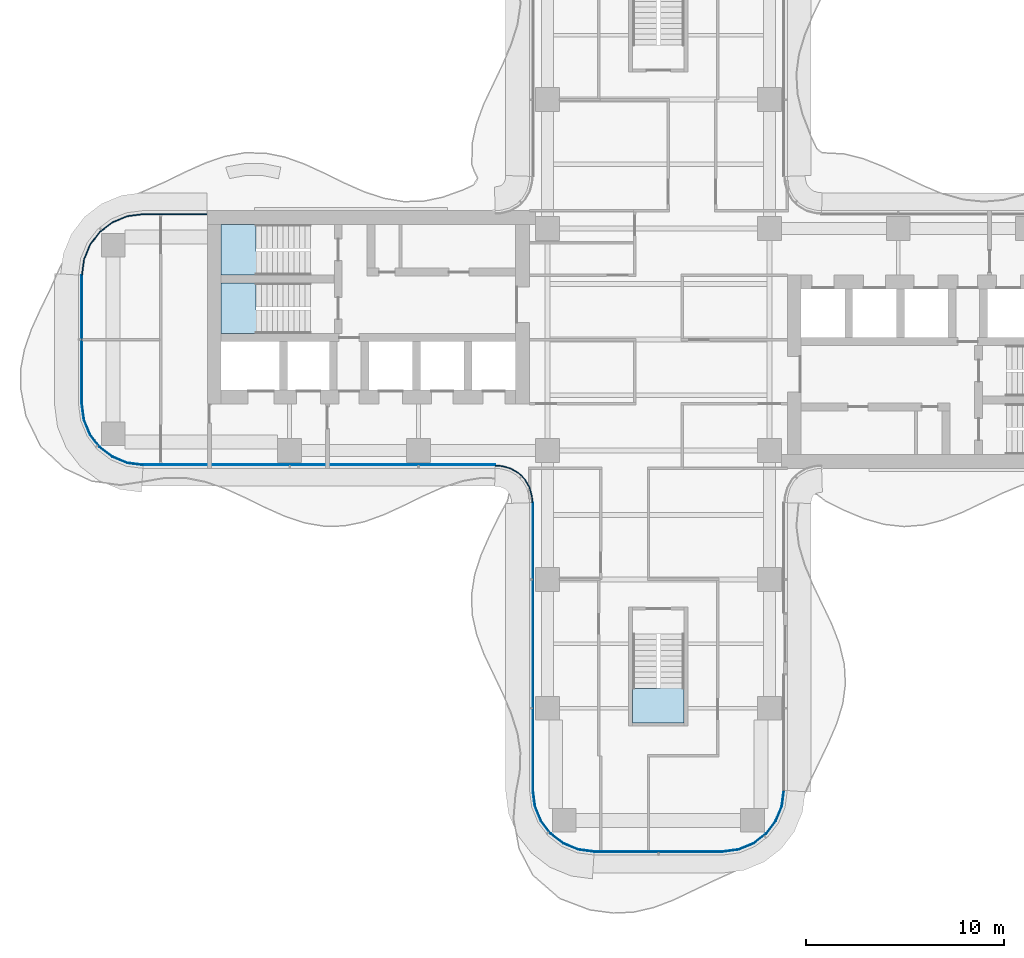
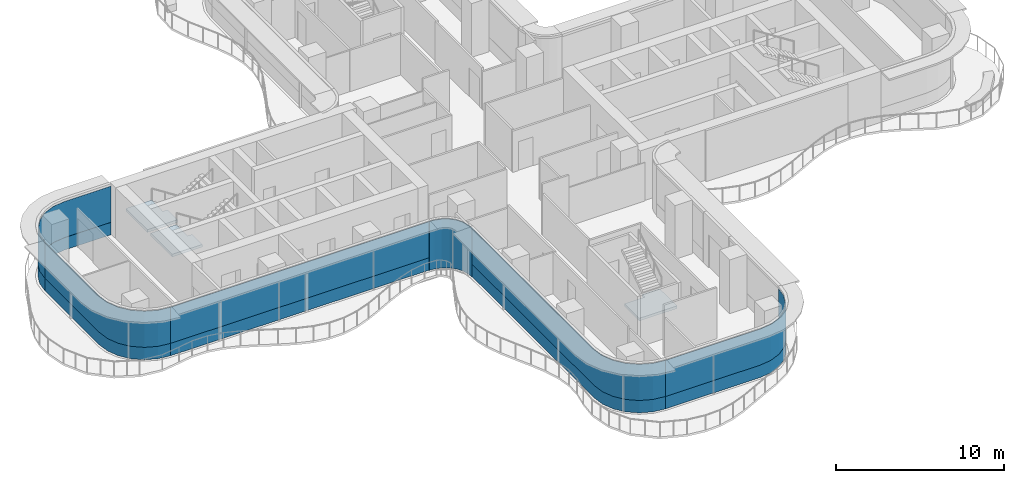
# One storey, part 9 of 17: 11 plates, 3 slabs, 9 elements without a shape of their own.
"""IFC4 building model written with IfcOpenShell, lengths in metres."""

import ifcopenshell
import ifcopenshell.guid

model = None  # the IFC model being written
_history = None  # IfcOwnerHistory: only IFC2X3 demands one
_inside = {}  # id of a spatial element -> (the spatial element, [elements in it])
_under = {}  # id of a project, library or spatial element -> (it, [spatial elements below it])
_declared = {}  # id of a project -> (the project, [libraries it declares])
_typed = {}  # id of a type object -> (the type object, [elements of that type])
_made_of = {}  # id of a material, layer set ... -> (it, [elements and type objects made of it])


def new_model(schema):
    """Start an empty IFC model of exactly this schema.

    Asked for "IFC4X3", IfcOpenShell would pick the latest addendum, in which some entities
    have other attributes; the version numbers below select the first issue.
    IFC2X3 requires an IfcOwnerHistory on every rooted entity: one is made here for all.
    """
    global model, _history
    if schema == "IFC4X3":
        model = ifcopenshell.file(schema_version=(4, 3, 0, 0))
    else:
        model = ifcopenshell.file(schema=schema)
    _inside.clear()
    _under.clear()
    _declared.clear()
    _typed.clear()
    _made_of.clear()
    _history = None
    if model.schema == "IFC2X3":
        org = make("IfcOrganization", Name="unknown")
        user = make(
            "IfcPersonAndOrganization",
            ThePerson=make("IfcPerson", FamilyName="unknown"),
            TheOrganization=org,
        )
        app = make(
            "IfcApplication",
            ApplicationDeveloper=org,
            Version="unknown",
            ApplicationFullName="unknown",
            ApplicationIdentifier="unknown",
        )
        _history = make(
            "IfcOwnerHistory",
            OwningUser=user,
            OwningApplication=app,
            ChangeAction="ADDED",
            CreationDate=0,
        )
    return model


def make(cls, **values):
    """One entity of the class cls with the attributes given. An attribute that is None is left unset."""
    return model.create_entity(
        cls, **{name: value for name, value in values.items() if value is not None}
    )


def rooted(cls, **values):
    """An entity with a GlobalId (a new one), such as an element, a storey or a relation."""
    return make(cls, GlobalId=ifcopenshell.guid.new(), OwnerHistory=_history, **values)


def si_unit(unit_type, name, prefix=None):
    """IfcSIUnit, for example si_unit("LENGTHUNIT", "METRE", prefix="MILLI")."""
    return make("IfcSIUnit", UnitType=unit_type, Prefix=prefix, Name=name)


def assignment(units):
    """IfcUnitAssignment: the units of a project."""
    return None if units is None else make("IfcUnitAssignment", Units=units)


def point(xyz):
    """IfcCartesianPoint."""
    return None if xyz is None else make("IfcCartesianPoint", Coordinates=xyz)


def direction(xyz):
    """IfcDirection."""
    return None if xyz is None else make("IfcDirection", DirectionRatios=xyz)


def frame(location, z_axis=None, x_axis=None):
    """IfcAxis2Placement3D, a coordinate frame: its origin and axes. An axis left out is left unset."""
    return make(
        "IfcAxis2Placement3D",
        Location=point(location),
        Axis=direction(z_axis),
        RefDirection=direction(x_axis),
    )


def origin():
    """The frame at (0, 0, 0) with its axes left unset."""
    return frame((0.0, 0.0, 0.0))


def place(relative_to, where):
    """IfcLocalPlacement: puts the frame where relative to a parent placement (None: the world)."""
    return make(
        "IfcLocalPlacement", PlacementRelTo=relative_to, RelativePlacement=where
    )


def context(
    kind, dimensions, precision=None, world=None, true_north=None, identifier=None
):
    """IfcGeometricRepresentationContext, for example the 3D "Model" context."""
    return make(
        "IfcGeometricRepresentationContext",
        ContextIdentifier=identifier,
        ContextType=kind,
        CoordinateSpaceDimension=dimensions,
        Precision=precision,
        WorldCoordinateSystem=world,
        TrueNorth=true_north,
    )


def subcontext(parent, identifier, kind, view, scale=None):
    """IfcGeometricRepresentationSubContext, for example "Body" below "Model"."""
    return make(
        "IfcGeometricRepresentationSubContext",
        ContextIdentifier=identifier,
        ContextType=kind,
        ParentContext=parent,
        TargetScale=scale,
        TargetView=view,
    )


def project(units=None, contexts=None):
    """IfcProject with its units and contexts."""
    return rooted(
        "IfcProject",
        Name="project",
        RepresentationContexts=contexts,
        UnitsInContext=assignment(units),
    )


def spatial(cls, under=None, at=None, **own):
    """A site, building, storey or space (cls), placed at a placement, below another one or the project."""
    s = rooted(cls, ObjectPlacement=at, **own)
    if under is not None:
        _under.setdefault(under.id(), (under, []))[1].append(s)
    return s


def polyline(points):
    """IfcPolyline through the points."""
    return make("IfcPolyline", Points=[point(p) for p in points])


def outline(outer, holes=None, kind="AREA"):
    """IfcArbitraryClosedProfileDef: a profile drawn as a closed curve; with holes, ...WithVoids."""
    if holes is None:
        return make("IfcArbitraryClosedProfileDef", ProfileType=kind, OuterCurve=outer)
    return make(
        "IfcArbitraryProfileDefWithVoids",
        ProfileType=kind,
        OuterCurve=outer,
        InnerCurves=holes,
    )


def extrude(swept, where, along, depth):
    """IfcExtrudedAreaSolid: the profile swept, set in the frame where, extruded along a direction by depth."""
    return make(
        "IfcExtrudedAreaSolid",
        SweptArea=swept,
        Position=where,
        ExtrudedDirection=direction(along),
        Depth=depth,
    )


def shape(context_of_items, identifier, shape_type, items):
    """IfcShapeRepresentation: the items that make up one representation, for example the "Body"."""
    return make(
        "IfcShapeRepresentation",
        ContextOfItems=context_of_items,
        RepresentationIdentifier=identifier,
        RepresentationType=shape_type,
        Items=items,
    )


def source(mapping_origin, context_of_items, identifier, shape_type, items):
    """IfcRepresentationMap: a shape defined once, which mapped items show again and again."""
    return make(
        "IfcRepresentationMap",
        MappingOrigin=mapping_origin,
        MappedRepresentation=shape(context_of_items, identifier, shape_type, items),
    )


def transform(
    local_origin,
    x_axis=None,
    y_axis=None,
    z_axis=None,
    scale=None,
    scale2=None,
    scale3=None,
    uniform=True,
):
    """IfcCartesianTransformationOperator3D, or its non-uniform kind. x_axis, y_axis, z_axis: its Axis1, 2, 3."""
    if uniform:
        return make(
            "IfcCartesianTransformationOperator3D",
            Axis1=direction(x_axis),
            Axis2=direction(y_axis),
            LocalOrigin=point(local_origin),
            Scale=scale,
            Axis3=direction(z_axis),
        )
    return make(
        "IfcCartesianTransformationOperator3DnonUniform",
        Axis1=direction(x_axis),
        Axis2=direction(y_axis),
        LocalOrigin=point(local_origin),
        Scale=scale,
        Axis3=direction(z_axis),
        Scale2=scale2,
        Scale3=scale3,
    )


def mapped(mapping_source, mapping_target):
    """IfcMappedItem: shows the shape of a source again, moved by a transform."""
    return make(
        "IfcMappedItem", MappingSource=mapping_source, MappingTarget=mapping_target
    )


def material(Name=None, Category=None):
    """IfcMaterial."""
    return make("IfcMaterial", Name=Name, Category=Category)


def layer(
    of_material, thickness, ventilated=None, Name=None, Category=None, Priority=None
):
    """IfcMaterialLayer: one layer of a wall or slab, of a material (None: an air gap)."""
    return make(
        "IfcMaterialLayer",
        Material=of_material,
        LayerThickness=thickness,
        IsVentilated=ventilated,
        Name=Name,
        Category=Category,
        Priority=Priority,
    )


def layer_set(layers, Name=None):
    """IfcMaterialLayerSet."""
    return make("IfcMaterialLayerSet", MaterialLayers=layers, LayerSetName=Name)


def made_of(thing, what):
    """Note that an element or type object is made of a material, layer set ...; save() writes the relation."""
    if what is not None:
        _made_of.setdefault(what.id(), (what, []))[1].append(thing)
    return thing


def type_object(cls, material=None, **own):
    """A type object (cls), such as IfcWallType, which elements share."""
    return made_of(rooted(cls, **own), material)


def element(
    cls,
    number,
    at=None,
    inside=None,
    cuts=None,
    type_object=None,
    material=None,
    context=None,
    identifier="Body",
    shape_type=None,
    held_by="IfcProductDefinitionShape",
    body=None,
    shapes=None,
    **own,
):
    """One element of the class cls, such as IfcWall. Its Tag is "e" and its number.

    at: its placement. inside: the storey or other place that contains it. cuts: it is an
    opening in that element (IfcRelVoidsElement). A single representation is given by context,
    identifier, shape_type and body (its items); several are given by shapes. held_by: the class
    of the entity that holds the representations. save() writes the other relations.
    """
    e = rooted(cls, Tag="e%d" % number, ObjectPlacement=at, **own)
    if body is not None:
        shapes = [shape(context, identifier, shape_type, body)]
    if shapes is not None:
        e.Representation = make(held_by, Representations=shapes)
    if inside is not None:
        _inside.setdefault(inside.id(), (inside, []))[1].append(e)
    if cuts is not None:
        rooted(
            "IfcRelVoidsElement", RelatingBuildingElement=cuts, RelatedOpeningElement=e
        )
    if type_object is not None:
        _typed.setdefault(type_object.id(), (type_object, []))[1].append(e)
    return made_of(e, material)


def aggregate(whole, parts):
    """IfcRelAggregates: a whole, such as a stair, and the parts it consists of."""
    return rooted("IfcRelAggregates", RelatingObject=whole, RelatedObjects=parts)


def save(model, path):
    """Write the relations noted so far, then the file.

    IfcRelAggregates (storeys below a building ...), IfcRelContainedInSpatialStructure (elements
    in a storey), IfcRelDefinesByType, IfcRelAssociatesMaterial and IfcRelDeclares: one each for
    every whole, place, type object, material and project.
    """
    for whole, parts in _under.values():
        aggregate(whole, parts)
    for where, things in _inside.values():
        rooted(
            "IfcRelContainedInSpatialStructure",
            RelatedElements=things,
            RelatingStructure=where,
        )
    for kind, things in _typed.values():
        rooted("IfcRelDefinesByType", RelatedObjects=things, RelatingType=kind)
    for what, things in _made_of.values():
        rooted("IfcRelAssociatesMaterial", RelatedObjects=things, RelatingMaterial=what)
    for by, libraries in _declared.values():
        rooted("IfcRelDeclares", RelatingContext=by, RelatedDefinitions=libraries)
    model.write(path)


model = new_model("IFC4")

# Units and contexts
model_context = context("Model", 3, precision=1e-05, world=origin(), true_north=direction((0.0, 1.0)))
body_context = subcontext(model_context, "Body", "Model", "MODEL_VIEW")
ifc_project = project(units=[si_unit("LENGTHUNIT", "METRE"), si_unit("AREAUNIT", "SQUARE_METRE"), si_unit("VOLUMEUNIT", "CUBIC_METRE"), si_unit("PLANEANGLEUNIT", "RADIAN"), si_unit("MASSUNIT", "GRAM", prefix="KILO")], contexts=[model_context])

# Site, building, storey
site_placement = place(None, origin())
site = spatial("IfcSite", under=ifc_project, at=site_placement, CompositionType="ELEMENT")
building_placement = place(site_placement, origin())
building = spatial("IfcBuilding", under=site, at=building_placement, Name="Trellis Farm Tower", CompositionType="ELEMENT")
storey_placement = place(building_placement, frame((0.0, 0.0, 165.89990234375)))
storey = spatial("IfcBuildingStorey", under=building, at=storey_placement, Name="L35", CompositionType="ELEMENT", Elevation=165.89990234375)

# Stair, slab
ifc_material_1 = material(Name="Concrete C50/60", Category="concrete")
stair_type = type_object("IfcStairType", Name="CORE EXIT STAIR 22 RISERS 177 MM", PredefinedType="HALF_TURN_STAIR", material=ifc_material_1)
placement_1 = place(storey_placement, origin())
stair_1 = element("IfcStair", 1, at=placement_1, inside=storey, type_object=stair_type, Name="Exit stair S", PredefinedType="HALF_TURN_STAIR")
ifc_layer_1 = layer(ifc_material_1, 0.18994140625)
ifc_layer_set_1 = layer_set([ifc_layer_1], Name="CORE STAIR LANDING 190 CONCRETE C50/60")
slab_type = type_object("IfcSlabType", Name="CORE STAIR LANDING 190 CONCRETE C50/60", PredefinedType="LANDING", material=ifc_layer_set_1)
shared_shape_1 = source(origin(), body_context, "Body", "SweptSolid", [
    extrude(outline(polyline([(1.300048828125, -19.35009765625), (-1.300048828125, -19.35009765625), (-1.300048828125, -17.60009765625), (-1.300048828125, -17.590087890625), (-0.10009765625, -17.590087890625), (-0.10009765625, -17.60009765625), (0.10009765625, -17.60009765625), (0.10009765625, -17.27197265625), (1.300048828125, -17.27197265625), (1.300048828125, -17.60009765625), (1.300048828125, -19.35009765625)])), origin(), (0.0, 0.0, 1.0), 0.190185546875),
])
placement_2 = place(storey_placement, frame((0.0, 0.0, 1.760009765625)))
slab_1 = element("IfcSlab", 2, at=placement_2, type_object=slab_type, Name="STS landing 1", PredefinedType="LANDING", context=body_context, shape_type="MappedRepresentation", body=[
    mapped(shared_shape_1, transform((0.0, 0.0, 0.0))),
])
aggregate(stair_1, [slab_1])

stair_2 = element("IfcStair", 3, at=placement_1, inside=storey, type_object=stair_type, Name="Exit stair W1", PredefinedType="HALF_TURN_STAIR")
shared_shape_2 = source(origin(), body_context, "Body", "SweptSolid", [
    extrude(outline(polyline([(-19.971923828125, 4.449951171875), (-19.971923828125, 3.25), (-20.300048828125, 3.25), (-22.050048828125, 3.25), (-22.050048828125, 5.800048828125), (-20.300048828125, 5.800048828125), (-20.2900390625, 5.800048828125), (-20.2900390625, 4.60009765625), (-20.300048828125, 4.60009765625), (-20.300048828125, 4.449951171875), (-19.971923828125, 4.449951171875)])), origin(), (0.0, 0.0, 1.0), 0.190185546875),
])
slab_2 = element("IfcSlab", 4, at=placement_2, type_object=slab_type, Name="STW1 landing 1", PredefinedType="LANDING", context=body_context, shape_type="MappedRepresentation", body=[
    mapped(shared_shape_2, transform((0.0, 0.0, 0.0))),
])
aggregate(stair_2, [slab_2])

stair_3 = element("IfcStair", 5, at=placement_1, inside=storey, type_object=stair_type, Name="Exit stair W2", PredefinedType="HALF_TURN_STAIR")
shared_shape_3 = source(origin(), body_context, "Body", "SweptSolid", [
    extrude(outline(polyline([(-19.971923828125, 1.5), (-19.971923828125, 0.300048828125), (-20.300048828125, 0.300048828125), (-22.050048828125, 0.300048828125), (-22.050048828125, 2.85009765625), (-20.300048828125, 2.85009765625), (-20.2900390625, 2.85009765625), (-20.2900390625, 1.64990234375), (-20.300048828125, 1.64990234375), (-20.300048828125, 1.5), (-19.971923828125, 1.5)])), origin(), (0.0, 0.0, 1.0), 0.190185546875),
])
slab_3 = element("IfcSlab", 6, at=placement_2, type_object=slab_type, Name="STW2 landing 1", PredefinedType="LANDING", context=body_context, shape_type="MappedRepresentation", body=[
    mapped(shared_shape_3, transform((0.0, 0.0, 0.0))),
])
aggregate(stair_3, [slab_3])

# Curtain wall, plate
ifc_material_2 = material(Name="Aluminium and glass curtain wall", Category="aluminium")
ifc_layer_2 = layer(ifc_material_2, 0.166015625)
ifc_layer_set_2 = layer_set([ifc_layer_2], Name="WINTER GARDEN CURTAIN WALL CW3")
curtain_wall_type_1 = type_object("IfcCurtainWallType", Name="WINTER GARDEN CURTAIN WALL CW3", PredefinedType="NOTDEFINED", material=ifc_layer_set_2)
curtain_wall_1 = element("IfcCurtainWall", 7, at=placement_1, inside=storey, type_object=curtain_wall_type_1, Name="CW3 001", PredefinedType="NOTDEFINED")
ifc_material_3 = material(Name="Clear insulated glass", Category="glass")
ifc_layer_3 = layer(ifc_material_3, 0.0458984375)
ifc_layer_set_3 = layer_set([ifc_layer_3], Name="CW3 GLASS PANEL 46")
plate_type_1 = type_object("IfcPlateType", Name="CW3 GLASS PANEL 46", PredefinedType="CURTAIN_PANEL", material=ifc_layer_set_3)
shared_shape_4 = source(origin(), body_context, "Body", "SweptSolid", [
    extrude(outline(polyline([(-8.2275390625, -6.3798828125), (-8.0078125, -6.394287109375), (-7.89208984375, -6.40966796875), (-7.462158203125, -6.52490234375), (-7.070556640625, -6.7509765625), (-6.7509765625, -7.070556640625), (-6.52490234375, -7.462158203125), (-6.40966796875, -7.89208984375), (-6.394287109375, -8.0078125), (-6.3798828125, -8.2275390625), (-6.333984375, -8.22607421875), (-6.3486328125, -8.003173828125), (-6.364501953125, -7.883056640625), (-6.48193359375, -7.4443359375), (-6.714111328125, -7.04248046875), (-7.04248046875, -6.714111328125), (-7.4443359375, -6.48193359375), (-7.883056640625, -6.364501953125), (-8.003173828125, -6.3486328125), (-8.22607421875, -6.333984375), (-8.2275390625, -6.3798828125)])), origin(), (0.0, 0.0, 1.0), 3.550048828125),
])
plate_1 = element("IfcPlate", 8, at=placement_1, type_object=plate_type_1, Name="PL3 001", PredefinedType="CURTAIN_PANEL", context=body_context, shape_type="MappedRepresentation", body=[
    mapped(shared_shape_4, transform((0.0, 0.0, 0.0))),
])
aggregate(curtain_wall_1, [plate_1])

# Curtain wall, plates
ifc_layer_4 = layer(ifc_material_2, 0.18994140625)
ifc_layer_set_4 = layer_set([ifc_layer_4], Name="RIBBON CURTAIN WALL CW1")
curtain_wall_type_2 = type_object("IfcCurtainWallType", Name="RIBBON CURTAIN WALL CW1", PredefinedType="NOTDEFINED", material=ifc_layer_set_4)
curtain_wall_2 = element("IfcCurtainWall", 9, at=placement_1, inside=storey, type_object=curtain_wall_type_2, Name="CW1 001", PredefinedType="NOTDEFINED")
ifc_layer_5 = layer(ifc_material_3, 0.0400390625)
ifc_layer_set_5 = layer_set([ifc_layer_5], Name="CW1 GLASS PANEL 40")
plate_type_2 = type_object("IfcPlateType", Name="CW1 GLASS PANEL 40", PredefinedType="CURTAIN_PANEL", material=ifc_layer_set_5)
shared_shape_5 = source(origin(), body_context, "Body", "SweptSolid", [
    extrude(outline(polyline([(-25.990234375, -6.35009765625), (-8.2265625, -6.35009765625), (-8.22509765625, -6.31005859375), (-25.987548828125, -6.31005859375), (-25.990234375, -6.35009765625)])), origin(), (0.0, 0.0, 1.0), 2.619873046875),
])
placement_3 = place(storey_placement, frame((0.0, 0.0, 0.900146484375)))
plate_2 = element("IfcPlate", 10, at=placement_3, type_object=plate_type_2, Name="PL1 001", PredefinedType="CURTAIN_PANEL", context=body_context, shape_type="MappedRepresentation", body=[
    mapped(shared_shape_5, transform((0.0, 0.0, 0.0))),
])
ifc_material_4 = material(Name="Sandstone faced insulated panel", Category="masonry")
ifc_layer_6 = layer(ifc_material_4, 0.050048828125)
ifc_layer_set_6 = layer_set([ifc_layer_6], Name="CW1 STONE SPANDREL PANEL 50")
plate_type_3 = type_object("IfcPlateType", Name="CW1 STONE SPANDREL PANEL 50", PredefinedType="CURTAIN_PANEL", material=ifc_layer_set_6)
shared_shape_6 = source(origin(), body_context, "Body", "SweptSolid", [
    extrude(outline(polyline([(-25.990234375, -6.35009765625), (-8.2265625, -6.35009765625), (-8.224853515625, -6.300048828125), (-25.98681640625, -6.300048828125), (-25.990234375, -6.35009765625)])), origin(), (0.0, 0.0, 1.0), 0.900146484375),
])
plate_3 = element("IfcPlate", 11, at=placement_1, type_object=plate_type_3, Name="PS1 001", PredefinedType="CURTAIN_PANEL", context=body_context, shape_type="MappedRepresentation", body=[
    mapped(shared_shape_6, transform((0.0, 0.0, 0.0))),
])
aggregate(curtain_wall_2, [plate_2, plate_3])

curtain_wall_3 = element("IfcCurtainWall", 12, at=placement_1, inside=storey, type_object=curtain_wall_type_2, Name="CW1 002", PredefinedType="NOTDEFINED")
shared_shape_7 = source(origin(), body_context, "Body", "SweptSolid", [
    extrude(outline(polyline([(-6.35009765625, -8.2265625), (-6.35009765625, -22.740234375), (-6.2431640625, -23.552001953125), (-5.93359375, -24.29931640625), (-5.441162109375, -24.941162109375), (-4.79931640625, -25.43359375), (-4.052001953125, -25.7431640625), (-3.240234375, -25.85009765625), (-3.237548828125, -25.81005859375), (-4.04150390625, -25.7041015625), (-4.779296875, -25.398681640625), (-5.41259765625, -24.91259765625), (-5.898681640625, -24.279296875), (-6.2041015625, -23.54150390625), (-6.31005859375, -22.737548828125), (-6.31005859375, -8.22509765625), (-6.35009765625, -8.2265625)])), origin(), (0.0, 0.0, 1.0), 2.619873046875),
])
plate_4 = element("IfcPlate", 13, at=placement_3, type_object=plate_type_2, Name="PL1 002", PredefinedType="CURTAIN_PANEL", context=body_context, shape_type="MappedRepresentation", body=[
    mapped(shared_shape_7, transform((0.0, 0.0, 0.0))),
])
shared_shape_8 = source(origin(), body_context, "Body", "SweptSolid", [
    extrude(outline(polyline([(-6.35009765625, -8.2265625), (-6.35009765625, -22.740234375), (-6.2431640625, -23.552001953125), (-5.93359375, -24.29931640625), (-5.441162109375, -24.941162109375), (-4.79931640625, -25.43359375), (-4.052001953125, -25.7431640625), (-3.240234375, -25.85009765625), (-3.23681640625, -25.800048828125), (-4.0390625, -25.6943359375), (-4.774169921875, -25.389892578125), (-5.405517578125, -24.905517578125), (-5.889892578125, -24.274169921875), (-6.1943359375, -23.5390625), (-6.300048828125, -22.73681640625), (-6.300048828125, -8.224853515625), (-6.35009765625, -8.2265625)])), origin(), (0.0, 0.0, 1.0), 0.900146484375),
])
plate_5 = element("IfcPlate", 14, at=placement_1, type_object=plate_type_3, Name="PS1 002", PredefinedType="CURTAIN_PANEL", context=body_context, shape_type="MappedRepresentation", body=[
    mapped(shared_shape_8, transform((0.0, 0.0, 0.0))),
])
aggregate(curtain_wall_3, [plate_4, plate_5])

curtain_wall_4 = element("IfcCurtainWall", 15, at=placement_1, inside=storey, type_object=curtain_wall_type_2, Name="CW1 003", PredefinedType="NOTDEFINED")
shared_shape_9 = source(origin(), body_context, "Body", "SweptSolid", [
    extrude(outline(polyline([(-3.240234375, -25.85009765625), (3.240234375, -25.85009765625), (4.052001953125, -25.7431640625), (4.79931640625, -25.43359375), (5.441162109375, -24.941162109375), (5.93359375, -24.29931640625), (6.2431640625, -23.552001953125), (6.35009765625, -22.740234375), (6.31005859375, -22.737548828125), (6.2041015625, -23.54150390625), (5.898681640625, -24.279296875), (5.41259765625, -24.91259765625), (4.779296875, -25.398681640625), (4.04150390625, -25.7041015625), (3.237548828125, -25.81005859375), (-3.237548828125, -25.81005859375), (-3.240234375, -25.85009765625)])), origin(), (0.0, 0.0, 1.0), 2.619873046875),
])
plate_6 = element("IfcPlate", 16, at=placement_3, type_object=plate_type_2, Name="PL1 003", PredefinedType="CURTAIN_PANEL", context=body_context, shape_type="MappedRepresentation", body=[
    mapped(shared_shape_9, transform((0.0, 0.0, 0.0))),
])
shared_shape_10 = source(origin(), body_context, "Body", "SweptSolid", [
    extrude(outline(polyline([(-3.240234375, -25.85009765625), (3.240234375, -25.85009765625), (4.052001953125, -25.7431640625), (4.79931640625, -25.43359375), (5.441162109375, -24.941162109375), (5.93359375, -24.29931640625), (6.2431640625, -23.552001953125), (6.35009765625, -22.740234375), (6.300048828125, -22.73681640625), (6.1943359375, -23.5390625), (5.889892578125, -24.274169921875), (5.405517578125, -24.905517578125), (4.774169921875, -25.389892578125), (4.0390625, -25.6943359375), (3.23681640625, -25.800048828125), (-3.23681640625, -25.800048828125), (-3.240234375, -25.85009765625)])), origin(), (0.0, 0.0, 1.0), 0.900146484375),
])
plate_7 = element("IfcPlate", 17, at=placement_1, type_object=plate_type_3, Name="PS1 003", PredefinedType="CURTAIN_PANEL", context=body_context, shape_type="MappedRepresentation", body=[
    mapped(shared_shape_10, transform((0.0, 0.0, 0.0))),
])
aggregate(curtain_wall_4, [plate_6, plate_7])

curtain_wall_5 = element("IfcCurtainWall", 18, at=placement_1, inside=storey, type_object=curtain_wall_type_2, Name="CW1 012", PredefinedType="NOTDEFINED")
shared_shape_11 = source(origin(), body_context, "Body", "SweptSolid", [
    extrude(outline(polyline([(-22.780029296875, 6.35009765625), (-25.990234375, 6.35009765625), (-26.802001953125, 6.2431640625), (-27.54931640625, 5.93359375), (-28.191162109375, 5.441162109375), (-28.68359375, 4.79931640625), (-28.9931640625, 4.052001953125), (-29.10009765625, 3.240234375), (-29.06005859375, 3.237548828125), (-28.9541015625, 4.04150390625), (-28.648681640625, 4.779296875), (-28.16259765625, 5.41259765625), (-27.529296875, 5.898681640625), (-26.79150390625, 6.2041015625), (-25.987548828125, 6.31005859375), (-22.780029296875, 6.31005859375), (-22.780029296875, 6.35009765625)])), origin(), (0.0, 0.0, 1.0), 2.619873046875),
])
plate_8 = element("IfcPlate", 19, at=placement_3, type_object=plate_type_2, Name="PL1 012", PredefinedType="CURTAIN_PANEL", context=body_context, shape_type="MappedRepresentation", body=[
    mapped(shared_shape_11, transform((0.0, 0.0, 0.0))),
])
shared_shape_12 = source(origin(), body_context, "Body", "SweptSolid", [
    extrude(outline(polyline([(-22.780029296875, 6.35009765625), (-25.990234375, 6.35009765625), (-26.802001953125, 6.2431640625), (-27.54931640625, 5.93359375), (-28.191162109375, 5.441162109375), (-28.68359375, 4.79931640625), (-28.9931640625, 4.052001953125), (-29.10009765625, 3.240234375), (-29.050048828125, 3.23681640625), (-28.9443359375, 4.0390625), (-28.639892578125, 4.774169921875), (-28.155517578125, 5.405517578125), (-27.524169921875, 5.889892578125), (-26.7890625, 6.1943359375), (-25.98681640625, 6.300048828125), (-22.780029296875, 6.300048828125), (-22.780029296875, 6.35009765625)])), origin(), (0.0, 0.0, 1.0), 0.900146484375),
])
plate_9 = element("IfcPlate", 20, at=placement_1, type_object=plate_type_3, Name="PS1 012", PredefinedType="CURTAIN_PANEL", context=body_context, shape_type="MappedRepresentation", body=[
    mapped(shared_shape_12, transform((0.0, 0.0, 0.0))),
])
aggregate(curtain_wall_5, [plate_8, plate_9])

curtain_wall_6 = element("IfcCurtainWall", 21, at=placement_1, inside=storey, type_object=curtain_wall_type_2, Name="CW1 013", PredefinedType="NOTDEFINED")
shared_shape_13 = source(origin(), body_context, "Body", "SweptSolid", [
    extrude(outline(polyline([(-29.10009765625, 3.240234375), (-29.10009765625, -3.240234375), (-28.9931640625, -4.052001953125), (-28.68359375, -4.79931640625), (-28.191162109375, -5.441162109375), (-27.54931640625, -5.93359375), (-26.802001953125, -6.2431640625), (-25.990234375, -6.35009765625), (-25.987548828125, -6.31005859375), (-26.79150390625, -6.2041015625), (-27.529296875, -5.898681640625), (-28.16259765625, -5.41259765625), (-28.648681640625, -4.779296875), (-28.9541015625, -4.04150390625), (-29.06005859375, -3.237548828125), (-29.06005859375, 3.237548828125), (-29.10009765625, 3.240234375)])), origin(), (0.0, 0.0, 1.0), 2.619873046875),
])
plate_10 = element("IfcPlate", 22, at=placement_3, type_object=plate_type_2, Name="PL1 013", PredefinedType="CURTAIN_PANEL", context=body_context, shape_type="MappedRepresentation", body=[
    mapped(shared_shape_13, transform((0.0, 0.0, 0.0))),
])
shared_shape_14 = source(origin(), body_context, "Body", "SweptSolid", [
    extrude(outline(polyline([(-29.10009765625, 3.240234375), (-29.10009765625, -3.240234375), (-28.9931640625, -4.052001953125), (-28.68359375, -4.79931640625), (-28.191162109375, -5.441162109375), (-27.54931640625, -5.93359375), (-26.802001953125, -6.2431640625), (-25.990234375, -6.35009765625), (-25.98681640625, -6.300048828125), (-26.7890625, -6.1943359375), (-27.524169921875, -5.889892578125), (-28.155517578125, -5.405517578125), (-28.639892578125, -4.774169921875), (-28.9443359375, -4.0390625), (-29.050048828125, -3.23681640625), (-29.050048828125, 3.23681640625), (-29.10009765625, 3.240234375)])), origin(), (0.0, 0.0, 1.0), 0.900146484375),
])
plate_11 = element("IfcPlate", 23, at=placement_1, type_object=plate_type_3, Name="PS1 013", PredefinedType="CURTAIN_PANEL", context=body_context, shape_type="MappedRepresentation", body=[
    mapped(shared_shape_14, transform((0.0, 0.0, 0.0))),
])
aggregate(curtain_wall_6, [plate_10, plate_11])

save(model, "model.ifc")
